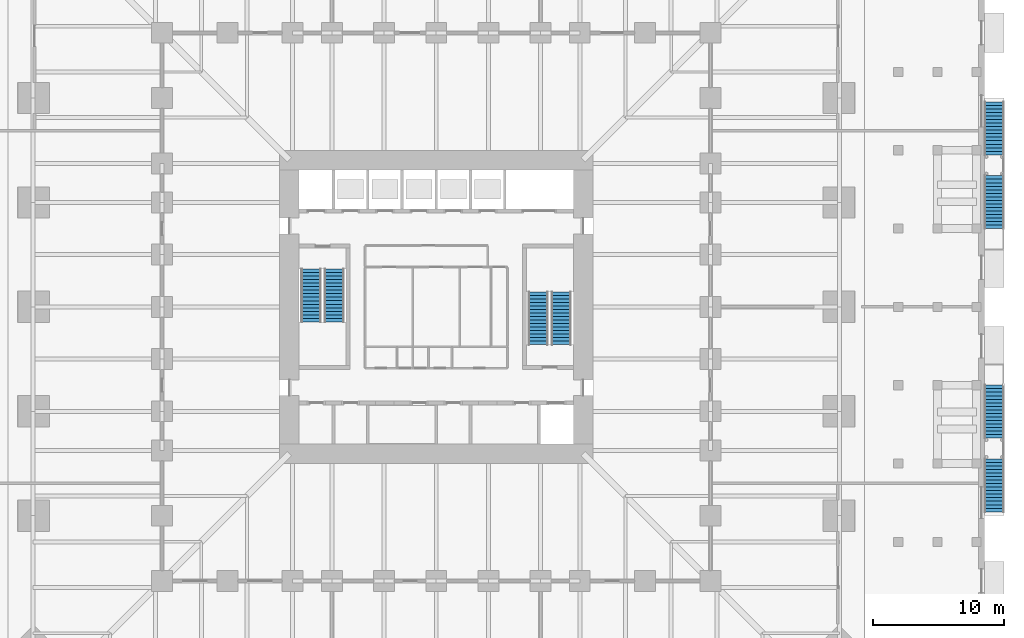
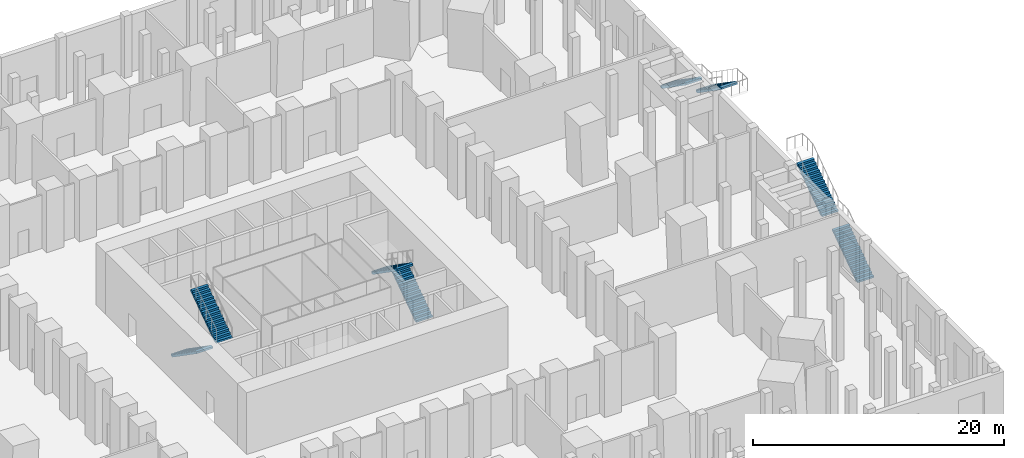
# One storey, part 18 of 20: 8 stair flights, 4 elements without a shape of their own.
"""IFC4 building model written with IfcOpenShell, lengths in metres."""

from ifc_helpers import new_model, si_unit, direction, frame, origin, place, context, subcontext, project, spatial, polyline, outline, extrude, material, type_object, element, aggregate, save


model = new_model("IFC4")

# Units and contexts
model_context = context("Model", 3, precision=1e-05, world=origin(), true_north=direction((0.0, 1.0)))
body_context = subcontext(model_context, "Body", "Model", "MODEL_VIEW")
ifc_project = project(units=[si_unit("LENGTHUNIT", "METRE"), si_unit("AREAUNIT", "SQUARE_METRE"), si_unit("VOLUMEUNIT", "CUBIC_METRE"), si_unit("PLANEANGLEUNIT", "RADIAN"), si_unit("MASSUNIT", "GRAM", prefix="KILO")], contexts=[model_context])

# Site, building, storey
site_placement = place(None, origin())
site = spatial("IfcSite", under=ifc_project, at=site_placement, CompositionType="ELEMENT")
building_placement = place(site_placement, origin())
building = spatial("IfcBuilding", under=site, at=building_placement, Name="Peilmerk Tower", CompositionType="ELEMENT")
storey_placement = place(building_placement, origin())
storey = spatial("IfcBuildingStorey", under=building, at=storey_placement, Name="L00", CompositionType="ELEMENT", Elevation=0.0)

# Stair, stair flights
ifc_material = material(Name="Precast concrete C45/55", Category="concrete")
stair_type_1 = type_object("IfcStairType", Name="ST1 32 risers of 187.5", PredefinedType="HALF_TURN_STAIR", material=ifc_material)
stair_1_placement = place(storey_placement, origin())
stair_1 = element("IfcStair", 1, at=stair_1_placement, inside=storey, type_object=stair_type_1, Name="Stair 1 L00 to L01", PredefinedType="HALF_TURN_STAIR")
stair_flight_type = type_object("IfcStairFlightType", Name="SF16 flight, 16 risers of 187.5", PredefinedType="STRAIGHT", material=ifc_material)
stair_flight_1_placement = place(storey_placement, frame((-9.60009765625, 2.89990234375, 0.0), z_axis=(0.0, 0.0, 1.0), x_axis=(0.0, -1.0, 0.0)))
stair_flight_1 = element("IfcStairFlight", 2, at=stair_flight_1_placement, type_object=stair_flight_type, Name="ST1 flight 1", NumberOfRisers=16, NumberOfTreads=15, PredefinedType="STRAIGHT", RiserHeight=0.1875, TreadLength=0.27, context=body_context, shape_type="SweptSolid", body=[
    extrude(outline(polyline([(0.0, 0.0), (0.0, 0.1875), (0.27001953125, 0.1875), (0.27001953125, 0.375), (0.5400390625, 0.375), (0.5400390625, 0.5625), (0.81005859375, 0.5625), (0.81005859375, 0.75), (1.080078125, 0.75), (1.080078125, 0.9375), (1.35009765625, 0.9375), (1.35009765625, 1.125), (1.6201171875, 1.125), (1.6201171875, 1.3125), (1.889892578125, 1.3125), (1.889892578125, 1.5), (2.159912109375, 1.5), (2.159912109375, 1.6875), (2.429931640625, 1.6875), (2.429931640625, 1.875), (2.699951171875, 1.875), (2.699951171875, 2.0625), (2.969970703125, 2.0625), (2.969970703125, 2.25), (3.239990234375, 2.25), (3.239990234375, 2.4375), (3.510009765625, 2.4375), (3.510009765625, 2.625), (3.780029296875, 2.625), (3.780029296875, 2.8125), (4.050048828125, 2.8125), (4.050048828125, 3.0), (4.050048828125, 2.6298828125), (0.2626953125, 0.0), (0.0, 0.0)])), frame((0.0, 0.75, 0.0), z_axis=(0.0, -1.0, 0.0), x_axis=(1.0, 0.0, 0.0)), (0.0, 0.0, 1.0), 1.5),
])
stair_flight_2_placement = place(storey_placement, frame((-7.800048828125, -1.14990234375, 3.0), z_axis=(0.0, 0.0, 1.0), x_axis=(0.0, 1.0, 0.0)))
stair_flight_2 = element("IfcStairFlight", 3, at=stair_flight_2_placement, type_object=stair_flight_type, Name="ST1 flight 2", NumberOfRisers=16, NumberOfTreads=15, PredefinedType="STRAIGHT", RiserHeight=0.1875, TreadLength=0.27, context=body_context, shape_type="SweptSolid", body=[
    extrude(outline(polyline([(0.0, 0.0), (0.0, 0.1875), (0.27001953125, 0.1875), (0.27001953125, 0.375), (0.5400390625, 0.375), (0.5400390625, 0.5625), (0.81005859375, 0.5625), (0.81005859375, 0.75), (1.080078125, 0.75), (1.080078125, 0.9375), (1.35009765625, 0.9375), (1.35009765625, 1.125), (1.6201171875, 1.125), (1.6201171875, 1.3125), (1.889892578125, 1.3125), (1.889892578125, 1.5), (2.159912109375, 1.5), (2.159912109375, 1.6875), (2.429931640625, 1.6875), (2.429931640625, 1.875), (2.699951171875, 1.875), (2.699951171875, 2.0625), (2.969970703125, 2.0625), (2.969970703125, 2.25), (3.239990234375, 2.25), (3.239990234375, 2.4375), (3.510009765625, 2.4375), (3.510009765625, 2.625), (3.780029296875, 2.625), (3.780029296875, 2.8125), (4.050048828125, 2.8125), (4.050048828125, 3.0), (4.050048828125, 2.6298828125), (0.2626953125, 0.0), (0.0, 0.0)])), frame((0.0, 0.75, 0.0), z_axis=(0.0, -1.0, 0.0), x_axis=(1.0, 0.0, 0.0)), (0.0, 0.0, 1.0), 1.5),
])
aggregate(stair_1, [stair_flight_1, stair_flight_2])

stair_type_2 = type_object("IfcStairType", Name="ST2 32 risers of 187.5", PredefinedType="HALF_TURN_STAIR", material=ifc_material)
stair_2_placement = place(storey_placement, origin())
stair_2 = element("IfcStair", 4, at=stair_2_placement, inside=storey, type_object=stair_type_2, Name="Stair 2 L00 to L01", PredefinedType="HALF_TURN_STAIR")
stair_flight_3_placement = place(storey_placement, frame((9.60009765625, -2.89990234375, 0.0), z_axis=(0.0, 0.0, 1.0), x_axis=(0.0, 1.0, 0.0)))
stair_flight_3 = element("IfcStairFlight", 5, at=stair_flight_3_placement, type_object=stair_flight_type, Name="ST2 flight 1", NumberOfRisers=16, NumberOfTreads=15, PredefinedType="STRAIGHT", RiserHeight=0.1875, TreadLength=0.27, context=body_context, shape_type="SweptSolid", body=[
    extrude(outline(polyline([(0.0, 0.0), (0.0, 0.1875), (0.27001953125, 0.1875), (0.27001953125, 0.375), (0.5400390625, 0.375), (0.5400390625, 0.5625), (0.81005859375, 0.5625), (0.81005859375, 0.75), (1.080078125, 0.75), (1.080078125, 0.9375), (1.35009765625, 0.9375), (1.35009765625, 1.125), (1.6201171875, 1.125), (1.6201171875, 1.3125), (1.889892578125, 1.3125), (1.889892578125, 1.5), (2.159912109375, 1.5), (2.159912109375, 1.6875), (2.429931640625, 1.6875), (2.429931640625, 1.875), (2.699951171875, 1.875), (2.699951171875, 2.0625), (2.969970703125, 2.0625), (2.969970703125, 2.25), (3.239990234375, 2.25), (3.239990234375, 2.4375), (3.510009765625, 2.4375), (3.510009765625, 2.625), (3.780029296875, 2.625), (3.780029296875, 2.8125), (4.050048828125, 2.8125), (4.050048828125, 3.0), (4.050048828125, 2.6298828125), (0.2626953125, 0.0), (0.0, 0.0)])), frame((0.0, 0.75, 0.0), z_axis=(0.0, -1.0, 0.0), x_axis=(1.0, 0.0, 0.0)), (0.0, 0.0, 1.0), 1.5),
])
stair_flight_4_placement = place(storey_placement, frame((7.800048828125, 1.14990234375, 3.0), z_axis=(0.0, 0.0, 1.0), x_axis=(0.0, -1.0, 0.0)))
stair_flight_4 = element("IfcStairFlight", 6, at=stair_flight_4_placement, type_object=stair_flight_type, Name="ST2 flight 2", NumberOfRisers=16, NumberOfTreads=15, PredefinedType="STRAIGHT", RiserHeight=0.1875, TreadLength=0.27, context=body_context, shape_type="SweptSolid", body=[
    extrude(outline(polyline([(0.0, 0.0), (0.0, 0.1875), (0.27001953125, 0.1875), (0.27001953125, 0.375), (0.5400390625, 0.375), (0.5400390625, 0.5625), (0.81005859375, 0.5625), (0.81005859375, 0.75), (1.080078125, 0.75), (1.080078125, 0.9375), (1.35009765625, 0.9375), (1.35009765625, 1.125), (1.6201171875, 1.125), (1.6201171875, 1.3125), (1.889892578125, 1.3125), (1.889892578125, 1.5), (2.159912109375, 1.5), (2.159912109375, 1.6875), (2.429931640625, 1.6875), (2.429931640625, 1.875), (2.699951171875, 1.875), (2.699951171875, 2.0625), (2.969970703125, 2.0625), (2.969970703125, 2.25), (3.239990234375, 2.25), (3.239990234375, 2.4375), (3.510009765625, 2.4375), (3.510009765625, 2.625), (3.780029296875, 2.625), (3.780029296875, 2.8125), (4.050048828125, 2.8125), (4.050048828125, 3.0), (4.050048828125, 2.6298828125), (0.2626953125, 0.0), (0.0, 0.0)])), frame((0.0, 0.75, 0.0), z_axis=(0.0, -1.0, 0.0), x_axis=(1.0, 0.0, 0.0)), (0.0, 0.0, 1.0), 1.5),
])
aggregate(stair_2, [stair_flight_3, stair_flight_4])

stair_type_3 = type_object("IfcStairType", Name="ST3 32 risers of 187.5, two straight flights", PredefinedType="TWO_STRAIGHT_RUN_STAIR", material=ifc_material)
stair_3_placement = place(storey_placement, origin())
stair_3 = element("IfcStair", 7, at=stair_3_placement, inside=storey, type_object=stair_type_3, Name="External stair 3 L00 to L01", PredefinedType="TWO_STRAIGHT_RUN_STAIR")
stair_flight_5_placement = place(storey_placement, frame((42.75, 15.699951171875, 0.0), z_axis=(0.0, 0.0, 1.0), x_axis=(0.0, -1.0, 0.0)))
stair_flight_5 = element("IfcStairFlight", 8, at=stair_flight_5_placement, type_object=stair_flight_type, Name="ST3 flight 1", NumberOfRisers=16, NumberOfTreads=15, PredefinedType="STRAIGHT", RiserHeight=0.1875, TreadLength=0.27, context=body_context, shape_type="SweptSolid", body=[
    extrude(outline(polyline([(0.0, 0.0), (0.0, 0.1875), (0.27001953125, 0.1875), (0.27001953125, 0.375), (0.5400390625, 0.375), (0.5400390625, 0.5625), (0.81005859375, 0.5625), (0.81005859375, 0.75), (1.080078125, 0.75), (1.080078125, 0.9375), (1.35009765625, 0.9375), (1.35009765625, 1.125), (1.6201171875, 1.125), (1.6201171875, 1.3125), (1.889892578125, 1.3125), (1.889892578125, 1.5), (2.159912109375, 1.5), (2.159912109375, 1.6875), (2.429931640625, 1.6875), (2.429931640625, 1.875), (2.699951171875, 1.875), (2.699951171875, 2.0625), (2.969970703125, 2.0625), (2.969970703125, 2.25), (3.239990234375, 2.25), (3.239990234375, 2.4375), (3.510009765625, 2.4375), (3.510009765625, 2.625), (3.780029296875, 2.625), (3.780029296875, 2.8125), (4.050048828125, 2.8125), (4.050048828125, 3.0), (4.050048828125, 2.6298828125), (0.2626953125, 0.0), (0.0, 0.0)])), frame((0.0, 0.75, 0.0), z_axis=(0.0, -1.0, 0.0), x_axis=(1.0, 0.0, 0.0)), (0.0, 0.0, 1.0), 1.5),
])
stair_flight_6_placement = place(storey_placement, frame((42.75, 10.050048828125, 3.0), z_axis=(0.0, 0.0, 1.0), x_axis=(0.0, -1.0, 0.0)))
stair_flight_6 = element("IfcStairFlight", 9, at=stair_flight_6_placement, type_object=stair_flight_type, Name="ST3 flight 2", NumberOfRisers=16, NumberOfTreads=15, PredefinedType="STRAIGHT", RiserHeight=0.1875, TreadLength=0.27, context=body_context, shape_type="SweptSolid", body=[
    extrude(outline(polyline([(0.0, 0.0), (0.0, 0.1875), (0.27001953125, 0.1875), (0.27001953125, 0.375), (0.5400390625, 0.375), (0.5400390625, 0.5625), (0.81005859375, 0.5625), (0.81005859375, 0.75), (1.080078125, 0.75), (1.080078125, 0.9375), (1.35009765625, 0.9375), (1.35009765625, 1.125), (1.6201171875, 1.125), (1.6201171875, 1.3125), (1.889892578125, 1.3125), (1.889892578125, 1.5), (2.159912109375, 1.5), (2.159912109375, 1.6875), (2.429931640625, 1.6875), (2.429931640625, 1.875), (2.699951171875, 1.875), (2.699951171875, 2.0625), (2.969970703125, 2.0625), (2.969970703125, 2.25), (3.239990234375, 2.25), (3.239990234375, 2.4375), (3.510009765625, 2.4375), (3.510009765625, 2.625), (3.780029296875, 2.625), (3.780029296875, 2.8125), (4.050048828125, 2.8125), (4.050048828125, 3.0), (4.050048828125, 2.6298828125), (0.2626953125, 0.0), (0.0, 0.0)])), frame((0.0, 0.75, 0.0), z_axis=(0.0, -1.0, 0.0), x_axis=(1.0, 0.0, 0.0)), (0.0, 0.0, 1.0), 1.5),
])
aggregate(stair_3, [stair_flight_5, stair_flight_6])

stair_type_4 = type_object("IfcStairType", Name="ST4 32 risers of 187.5, two straight flights", PredefinedType="TWO_STRAIGHT_RUN_STAIR", material=ifc_material)
stair_4_placement = place(storey_placement, origin())
stair_4 = element("IfcStair", 10, at=stair_4_placement, inside=storey, type_object=stair_type_4, Name="External stair 4 L00 to L01", PredefinedType="TWO_STRAIGHT_RUN_STAIR")
stair_flight_7_placement = place(storey_placement, frame((42.75, -15.699951171875, 0.0), z_axis=(0.0, 0.0, 1.0), x_axis=(0.0, 1.0, 0.0)))
stair_flight_7 = element("IfcStairFlight", 11, at=stair_flight_7_placement, type_object=stair_flight_type, Name="ST4 flight 1", NumberOfRisers=16, NumberOfTreads=15, PredefinedType="STRAIGHT", RiserHeight=0.1875, TreadLength=0.27, context=body_context, shape_type="SweptSolid", body=[
    extrude(outline(polyline([(0.0, 0.0), (0.0, 0.1875), (0.27001953125, 0.1875), (0.27001953125, 0.375), (0.5400390625, 0.375), (0.5400390625, 0.5625), (0.81005859375, 0.5625), (0.81005859375, 0.75), (1.080078125, 0.75), (1.080078125, 0.9375), (1.35009765625, 0.9375), (1.35009765625, 1.125), (1.6201171875, 1.125), (1.6201171875, 1.3125), (1.889892578125, 1.3125), (1.889892578125, 1.5), (2.159912109375, 1.5), (2.159912109375, 1.6875), (2.429931640625, 1.6875), (2.429931640625, 1.875), (2.699951171875, 1.875), (2.699951171875, 2.0625), (2.969970703125, 2.0625), (2.969970703125, 2.25), (3.239990234375, 2.25), (3.239990234375, 2.4375), (3.510009765625, 2.4375), (3.510009765625, 2.625), (3.780029296875, 2.625), (3.780029296875, 2.8125), (4.050048828125, 2.8125), (4.050048828125, 3.0), (4.050048828125, 2.6298828125), (0.2626953125, 0.0), (0.0, 0.0)])), frame((0.0, 0.75, 0.0), z_axis=(0.0, -1.0, 0.0), x_axis=(1.0, 0.0, 0.0)), (0.0, 0.0, 1.0), 1.5),
])
stair_flight_8_placement = place(storey_placement, frame((42.75, -10.050048828125, 3.0), z_axis=(0.0, 0.0, 1.0), x_axis=(0.0, 1.0, 0.0)))
stair_flight_8 = element("IfcStairFlight", 12, at=stair_flight_8_placement, type_object=stair_flight_type, Name="ST4 flight 2", NumberOfRisers=16, NumberOfTreads=15, PredefinedType="STRAIGHT", RiserHeight=0.1875, TreadLength=0.27, context=body_context, shape_type="SweptSolid", body=[
    extrude(outline(polyline([(0.0, 0.0), (0.0, 0.1875), (0.27001953125, 0.1875), (0.27001953125, 0.375), (0.5400390625, 0.375), (0.5400390625, 0.5625), (0.81005859375, 0.5625), (0.81005859375, 0.75), (1.080078125, 0.75), (1.080078125, 0.9375), (1.35009765625, 0.9375), (1.35009765625, 1.125), (1.6201171875, 1.125), (1.6201171875, 1.3125), (1.889892578125, 1.3125), (1.889892578125, 1.5), (2.159912109375, 1.5), (2.159912109375, 1.6875), (2.429931640625, 1.6875), (2.429931640625, 1.875), (2.699951171875, 1.875), (2.699951171875, 2.0625), (2.969970703125, 2.0625), (2.969970703125, 2.25), (3.239990234375, 2.25), (3.239990234375, 2.4375), (3.510009765625, 2.4375), (3.510009765625, 2.625), (3.780029296875, 2.625), (3.780029296875, 2.8125), (4.050048828125, 2.8125), (4.050048828125, 3.0), (4.050048828125, 2.6298828125), (0.2626953125, 0.0), (0.0, 0.0)])), frame((0.0, 0.75, 0.0), z_axis=(0.0, -1.0, 0.0), x_axis=(1.0, 0.0, 0.0)), (0.0, 0.0, 1.0), 1.5),
])
aggregate(stair_4, [stair_flight_7, stair_flight_8])

save(model, "model.ifc")
